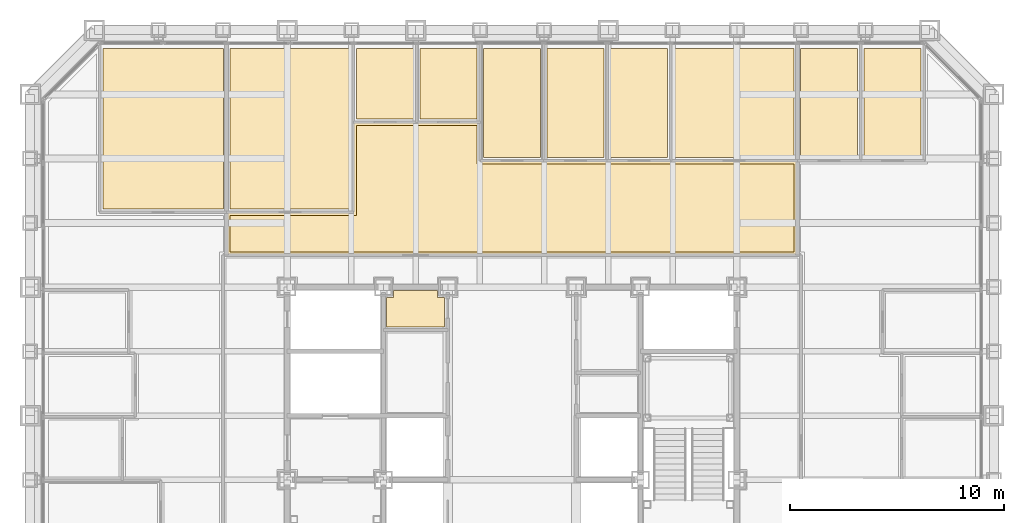
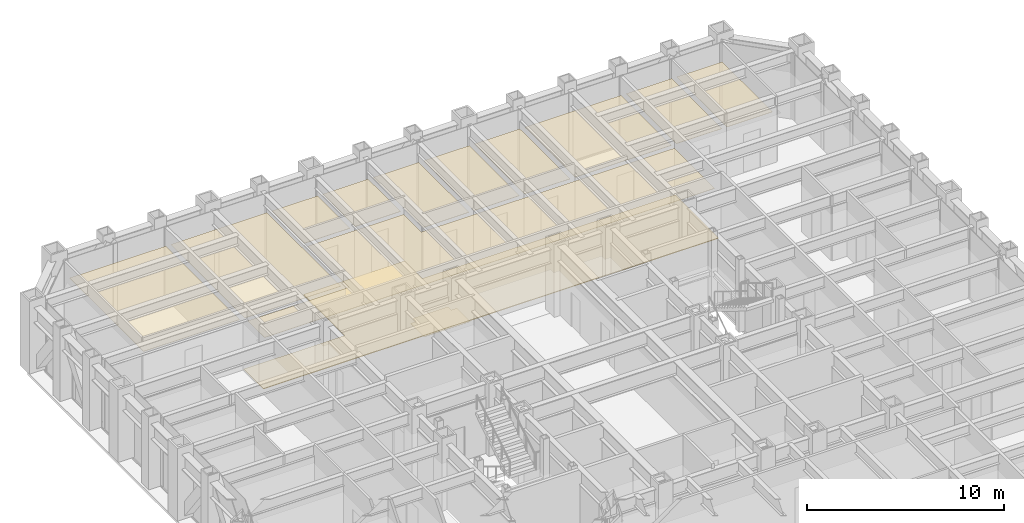
# One storey, part 16 of 16: 13 coverings.
"""IFC4 building model written with IfcOpenShell, lengths in metres."""

from ifc_helpers import new_model, si_unit, direction, frame, origin, place, context, subcontext, project, spatial, polyline, outline, extrude, material, layer, layer_set, type_object, element, save


model = new_model("IFC4")

# Units and contexts
model_context = context("Model", 3, precision=1e-05, world=origin(), true_north=direction((0.0, 1.0)))
body_context = subcontext(model_context, "Body", "Model", "MODEL_VIEW")
ifc_project = project(units=[si_unit("LENGTHUNIT", "METRE"), si_unit("AREAUNIT", "SQUARE_METRE"), si_unit("VOLUMEUNIT", "CUBIC_METRE"), si_unit("PLANEANGLEUNIT", "RADIAN"), si_unit("MASSUNIT", "GRAM", prefix="KILO")], contexts=[model_context])

# Site, building, storey
site_placement = place(None, origin())
site = spatial("IfcSite", under=ifc_project, at=site_placement, CompositionType="ELEMENT")
building_placement = place(site_placement, origin())
building = spatial("IfcBuilding", under=site, at=building_placement, Name="Chuquiago Exchange Tower", CompositionType="ELEMENT")
storey_placement = place(building_placement, frame((0.0, 0.0, 73.800048828125)))
storey = spatial("IfcBuildingStorey", under=building, at=storey_placement, Name="L15", CompositionType="ELEMENT", Elevation=73.800048828125)

# Coverings
ifc_material_1 = material(Name="Mineral fibre tile, 600 x 600, on pale metal grid", Category="mineral fibre")
ifc_layer_1 = layer(ifc_material_1, 0.02001953125)
ifc_layer_set_1 = layer_set([ifc_layer_1], Name="CL1 suspended tile ceiling 20")
covering_type_1 = type_object("IfcCoveringType", Name="CL1 suspended tile ceiling 20", PredefinedType="CEILING", material=ifc_layer_set_1)
covering_1_placement = place(storey_placement, frame((0.0, 0.0, 3.0)))
element("IfcCovering", 1, at=covering_1_placement, inside=storey, type_object=covering_type_1, Name="Ceiling Settlement office", PredefinedType="CEILING", context=body_context, shape_type="SweptSolid", body=[
    extrude(outline(polyline([(9.022216796875, 44.14990234375), (9.022216796875, 36.64990234375), (3.3984375, 36.64990234375), (3.3984375, 44.14990234375), (9.022216796875, 44.14990234375)])), origin(), (0.0, 0.0, 1.0), 0.02001953125),
])
covering_2_placement = place(storey_placement, frame((0.0, 0.0, 3.0)))
element("IfcCovering", 2, at=covering_2_placement, inside=storey, type_object=covering_type_1, Name="Ceiling Settlement office", PredefinedType="CEILING", context=body_context, shape_type="SweptSolid", body=[
    extrude(outline(polyline([(14.945556640625, 36.64990234375), (9.322021484375, 36.64990234375), (9.322021484375, 44.14990234375), (14.945556640625, 44.14990234375), (14.945556640625, 36.64990234375)])), origin(), (0.0, 0.0, 1.0), 0.02001953125),
])
covering_3_placement = place(storey_placement, frame((0.0, 0.0, 3.0)))
element("IfcCovering", 3, at=covering_3_placement, inside=storey, type_object=covering_type_1, Name="Ceiling Focus room", PredefinedType="CEILING", context=body_context, shape_type="SweptSolid", body=[
    extrude(outline(polyline([(17.907470703125, 40.85009765625), (15.24560546875, 40.85009765625), (15.24560546875, 44.14990234375), (17.907470703125, 44.14990234375), (17.907470703125, 40.85009765625)])), origin(), (0.0, 0.0, 1.0), 0.02001953125),
])
covering_4_placement = place(storey_placement, frame((0.0, 0.0, 3.0)))
element("IfcCovering", 4, at=covering_4_placement, inside=storey, type_object=covering_type_1, Name="Ceiling Focus room", PredefinedType="CEILING", context=body_context, shape_type="SweptSolid", body=[
    extrude(outline(polyline([(20.869140625, 40.85009765625), (18.20751953125, 40.85009765625), (18.20751953125, 44.14990234375), (20.869140625, 44.14990234375), (20.869140625, 40.85009765625)])), origin(), (0.0, 0.0, 1.0), 0.02001953125),
])
covering_5_placement = place(storey_placement, frame((0.0, 0.0, 3.0)))
element("IfcCovering", 5, at=covering_5_placement, inside=storey, type_object=covering_type_1, Name="Ceiling Office", PredefinedType="CEILING", context=body_context, shape_type="SweptSolid", body=[
    extrude(outline(polyline([(23.830810546875, 39.050048828125), (21.169189453125, 39.050048828125), (21.169189453125, 44.14990234375), (23.830810546875, 44.14990234375), (23.830810546875, 39.050048828125)])), origin(), (0.0, 0.0, 1.0), 0.02001953125),
])
covering_6_placement = place(storey_placement, frame((0.0, 0.0, 3.0)))
element("IfcCovering", 6, at=covering_6_placement, inside=storey, type_object=covering_type_1, Name="Ceiling Office", PredefinedType="CEILING", context=body_context, shape_type="SweptSolid", body=[
    extrude(outline(polyline([(26.79248046875, 39.050048828125), (24.130859375, 39.050048828125), (24.130859375, 44.14990234375), (26.79248046875, 44.14990234375), (26.79248046875, 39.050048828125)])), origin(), (0.0, 0.0, 1.0), 0.02001953125),
])
covering_7_placement = place(storey_placement, frame((0.0, 0.0, 3.0)))
element("IfcCovering", 7, at=covering_7_placement, inside=storey, type_object=covering_type_1, Name="Ceiling Office", PredefinedType="CEILING", context=body_context, shape_type="SweptSolid", body=[
    extrude(outline(polyline([(29.75439453125, 39.050048828125), (27.092529296875, 39.050048828125), (27.092529296875, 44.14990234375), (29.75439453125, 44.14990234375), (29.75439453125, 39.050048828125)])), origin(), (0.0, 0.0, 1.0), 0.02001953125),
])
covering_8_placement = place(storey_placement, frame((0.0, 0.0, 3.0)))
element("IfcCovering", 8, at=covering_8_placement, inside=storey, type_object=covering_type_1, Name="Ceiling Meeting room", PredefinedType="CEILING", context=body_context, shape_type="SweptSolid", body=[
    extrude(outline(polyline([(35.677978515625, 39.050048828125), (30.054443359375, 39.050048828125), (30.054443359375, 44.14990234375), (35.677978515625, 44.14990234375), (35.677978515625, 39.050048828125)])), origin(), (0.0, 0.0, 1.0), 0.02001953125),
])
covering_9_placement = place(storey_placement, frame((0.0, 0.0, 3.0)))
element("IfcCovering", 9, at=covering_9_placement, inside=storey, type_object=covering_type_1, Name="Ceiling Office", PredefinedType="CEILING", context=body_context, shape_type="SweptSolid", body=[
    extrude(outline(polyline([(38.6396484375, 39.050048828125), (35.977783203125, 39.050048828125), (35.977783203125, 44.14990234375), (38.6396484375, 44.14990234375), (38.6396484375, 39.050048828125)])), origin(), (0.0, 0.0, 1.0), 0.02001953125),
])
covering_10_placement = place(storey_placement, frame((0.0, 0.0, 3.0)))
element("IfcCovering", 10, at=covering_10_placement, inside=storey, type_object=covering_type_1, Name="Ceiling Office", PredefinedType="CEILING", context=body_context, shape_type="SweptSolid", body=[
    extrude(outline(polyline([(41.6015625, 39.050048828125), (38.939697265625, 39.050048828125), (38.939697265625, 44.14990234375), (41.6015625, 44.14990234375), (41.6015625, 39.050048828125)])), origin(), (0.0, 0.0, 1.0), 0.02001953125),
])
covering_11_placement = place(storey_placement, frame((0.0, 0.0, 3.0)))
element("IfcCovering", 11, at=covering_11_placement, inside=storey, type_object=covering_type_1, Name="Ceiling Trading floor north suite", PredefinedType="CEILING", context=body_context, shape_type="SweptSolid", body=[
    extrude(outline(polyline([(15.24560546875, 40.550048828125), (20.869140625, 40.550048828125), (20.869140625, 38.75), (35.677490234375, 38.75), (35.677490234375, 34.650390625), (9.322509765625, 34.650390625), (9.322509765625, 36.35009765625), (15.24560546875, 36.35009765625), (15.24560546875, 40.550048828125)])), origin(), (0.0, 0.0, 1.0), 0.02001953125),
])
ifc_material_2 = material(Name="Moisture resistant plasterboard on metal frame", Category="gypsum")
ifc_layer_2 = layer(ifc_material_2, 0.014892578125)
ifc_layer_set_2 = layer_set([ifc_layer_2], Name="CL2 moisture resistant ceiling 15")
covering_type_2 = type_object("IfcCoveringType", Name="CL2 moisture resistant ceiling 15", PredefinedType="CEILING", material=ifc_layer_set_2)
covering_12_placement = place(storey_placement, frame((0.0, 0.0, 2.599853515625)))
element("IfcCovering", 12, at=covering_12_placement, inside=storey, type_object=covering_type_2, Name="Ceiling Staff shower room", PredefinedType="CEILING", context=body_context, shape_type="SweptSolid", body=[
    extrude(outline(polyline([(16.64990234375, 31.14990234375), (16.64990234375, 32.52490234375), (16.97509765625, 32.52490234375), (16.97509765625, 32.85009765625), (19.02490234375, 32.85009765625), (19.02490234375, 32.52490234375), (19.35009765625, 32.52490234375), (19.35009765625, 31.14990234375), (16.64990234375, 31.14990234375)])), origin(), (0.0, 0.0, 1.0), 0.01513671875),
])
ifc_material_3 = material(Name="Steel raised floor panel", Category="steel")
ifc_layer_3 = layer(ifc_material_3, 0.0400390625)
ifc_layer_set_3 = layer_set([ifc_layer_3], Name="RF1 raised access floor 40")
covering_type_3 = type_object("IfcCoveringType", Name="RF1 raised access floor 40", PredefinedType="FLOORING", material=ifc_layer_set_3)
covering_13_placement = place(storey_placement, frame((0.0, 0.0, -0.0400390625)))
element("IfcCovering", 13, at=covering_13_placement, inside=storey, type_object=covering_type_3, Name="Raised access floor Trading floor north suite", PredefinedType="FLOORING", context=body_context, shape_type="SweptSolid", body=[
    extrude(outline(polyline([(15.095703125, 36.5), (15.095703125, 40.699951171875), (21.01904296875, 40.699951171875), (21.01904296875, 38.89990234375), (35.827392578125, 38.89990234375), (35.827392578125, 34.50048828125), (9.172607421875, 34.50048828125), (9.172607421875, 36.5), (15.095703125, 36.5)])), origin(), (0.0, 0.0, 1.0), 0.0400390625),
])

save(model, "model.ifc")
